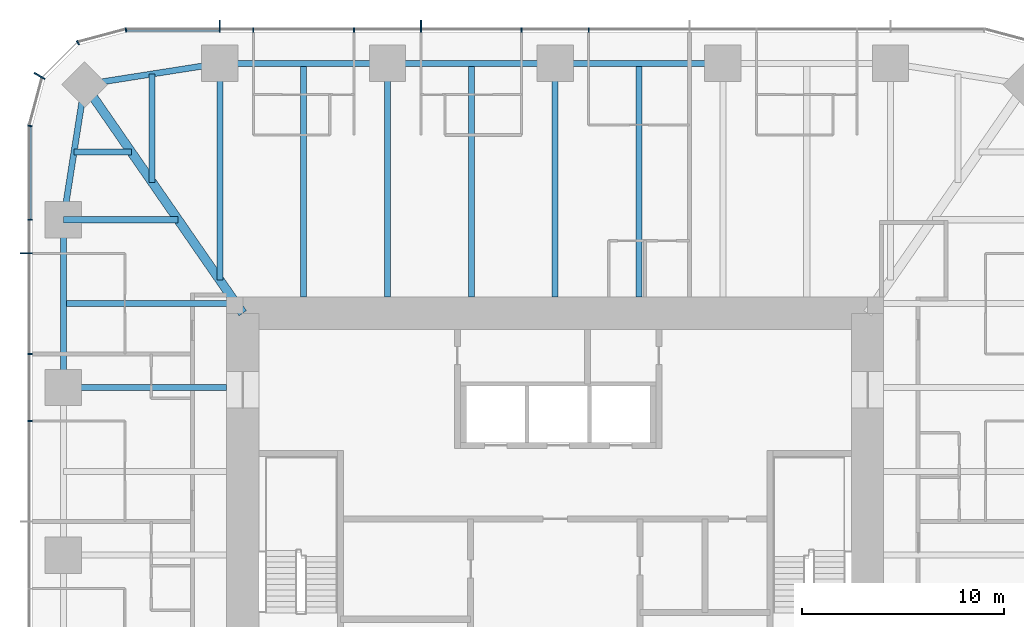
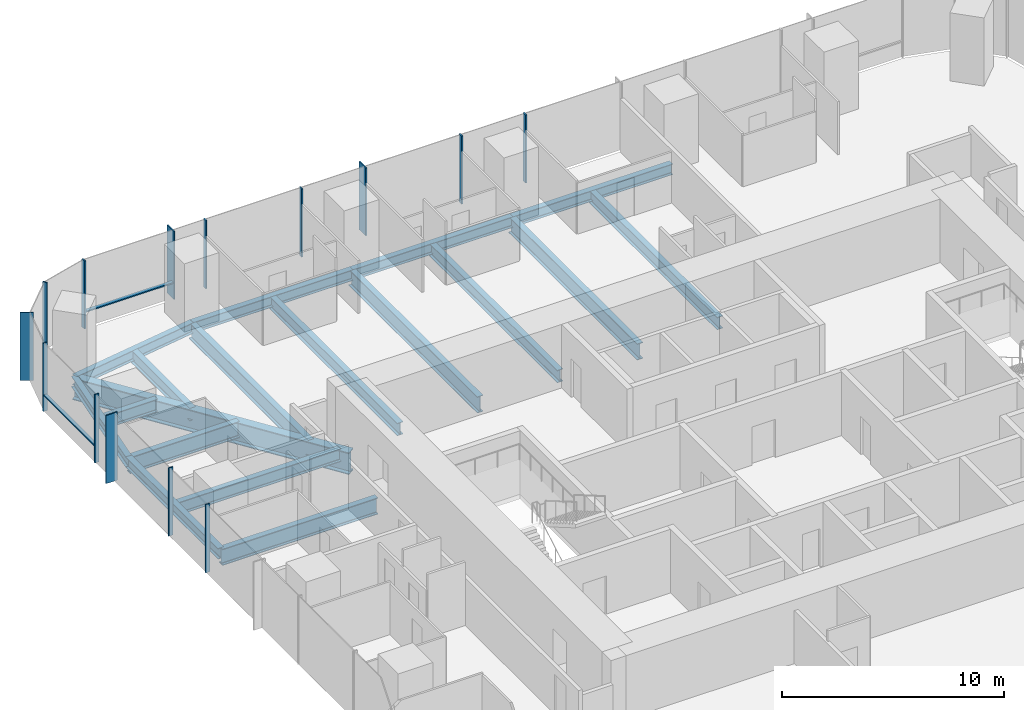
# One storey, part 5 of 12: 18 beams, 16 members, 3 elements without a shape of their own.
"""IFC4 building model written with IfcOpenShell, lengths in metres."""

from ifc_helpers import new_model, si_unit, direction, frame, origin, origin_2d, place, context, subcontext, project, spatial, rectangle, i_section, extrude, material, material_profile, profile_set, type_object, element, aggregate, save


model = new_model("IFC4")

# Units and contexts
model_context = context("Model", 3, precision=1e-05, world=origin(), true_north=direction((0.0, 1.0)))
body_context = subcontext(model_context, "Body", "Model", "MODEL_VIEW")
ifc_project = project(units=[si_unit("LENGTHUNIT", "METRE"), si_unit("AREAUNIT", "SQUARE_METRE"), si_unit("VOLUMEUNIT", "CUBIC_METRE"), si_unit("PLANEANGLEUNIT", "RADIAN"), si_unit("MASSUNIT", "GRAM", prefix="KILO")], contexts=[model_context])

# Site, building, storey
site_placement = place(None, origin())
site = spatial("IfcSite", under=ifc_project, at=site_placement, CompositionType="ELEMENT")
building_placement = place(site_placement, origin())
building = spatial("IfcBuilding", under=site, at=building_placement, Name="Khuree Lantern Residences", CompositionType="ELEMENT")
storey_placement = place(building_placement, frame((0.0, 0.0, 240.75)))
storey = spatial("IfcBuildingStorey", under=building, at=storey_placement, Name="L60", CompositionType="ELEMENT", Elevation=240.75)

# Beams
ifc_material_1 = material(Name="Steel S355", Category="steel")
ifc_material_profile_1 = material_profile(ifc_material_1, i_section(OverallWidth=0.300048828125, OverallDepth=0.68994140625, WebThickness=0.014404296875, FlangeThickness=0.027099609375, FilletRadius=0.027099609375, at=origin_2d()), Name="HE 700 A")
ifc_profile_set_1 = profile_set([ifc_material_profile_1], Name="Steel S355")
beam_type_1 = type_object("IfcBeamType", Name="B-33 SECONDARY BEAM HE 700 A", PredefinedType="BEAM", material=ifc_profile_set_1)
for number, where, z_axis, x_axis, name in (
    (1, (-12.47998046875, 24.39990234375, -0.594970703125), (0.0, -1.0, 0.0), (1.0, 0.0, 0.0), "Secondary beam N1"),
    (2, (-4.159912109375, 24.39990234375, -0.594970703125), (0.0, -1.0, 0.0), (1.0, 0.0, 0.0), "Secondary beam N2"),
    (3, (4.159912109375, 24.39990234375, -0.594970703125), (0.0, -1.0, 0.0), (1.0, 0.0, 0.0), "Secondary beam N3"),
):
    element("IfcBeam", number, at=place(storey_placement, frame(where, z_axis=z_axis, x_axis=x_axis)), inside=storey, type_object=beam_type_1, Name=name, PredefinedType="BEAM", context=body_context, shape_type="SweptSolid", body=[
        extrude(i_section(OverallWidth=0.300048828125, OverallDepth=0.68994140625, WebThickness=0.014404296875, FlangeThickness=0.027099609375, FilletRadius=0.027099609375, at=origin_2d()), origin(), (0.0, 0.0, 1.0), 11.599853515625),
    ])
beam_1_placement = place(storey_placement, frame((-24.39990234375, 12.47998046875, -0.594970703125), z_axis=(1.0, 0.0, 0.0), x_axis=(0.0, 1.0, 0.0)))
element("IfcBeam", 4, at=beam_1_placement, inside=storey, type_object=beam_type_1, Name="Secondary beam W5", PredefinedType="BEAM", context=body_context, shape_type="SweptSolid", body=[
    extrude(i_section(OverallWidth=0.300048828125, OverallDepth=0.68994140625, WebThickness=0.014404296875, FlangeThickness=0.027099609375, FilletRadius=0.027099609375, at=origin_2d()), origin(), (0.0, 0.0, 1.0), 8.56787109375),
])
beam_2_placement = place(storey_placement, frame((-23.872802734375, 19.992919921875, -0.594970703125), z_axis=(1.0, 0.0, 0.0), x_axis=(0.0, 1.0, 0.0)))
element("IfcBeam", 5, at=beam_2_placement, inside=storey, type_object=beam_type_1, Name="Secondary beam W6", PredefinedType="BEAM", context=body_context, shape_type="SweptSolid", body=[
    extrude(i_section(OverallWidth=0.300048828125, OverallDepth=0.68994140625, WebThickness=0.014404296875, FlangeThickness=0.027099609375, FilletRadius=0.027099609375, at=origin_2d()), origin(), (0.0, 0.0, 1.0), 2.845703125),
])
beam_3_placement = place(storey_placement, frame((-19.992919921875, 23.872802734375, -0.594970703125), z_axis=(0.0, -1.0, 0.0), x_axis=(1.0, 0.0, 0.0)))
element("IfcBeam", 6, at=beam_3_placement, inside=storey, type_object=beam_type_1, Name="Secondary beam N6", PredefinedType="BEAM", context=body_context, shape_type="SweptSolid", body=[
    extrude(i_section(OverallWidth=0.300048828125, OverallDepth=0.68994140625, WebThickness=0.014404296875, FlangeThickness=0.027099609375, FilletRadius=0.027099609375, at=origin_2d()), origin(), (0.0, 0.0, 1.0), 5.375732421875),
])
ifc_material_profile_2 = material_profile(ifc_material_1, i_section(OverallWidth=0.300048828125, OverallDepth=0.590087890625, WebThickness=0.012939453125, FlangeThickness=0.02490234375, FilletRadius=0.027099609375, at=origin_2d()), Name="HE 600 A")
ifc_profile_set_2 = profile_set([ifc_material_profile_2], Name="Steel S355")
beam_type_2 = type_object("IfcBeamType", Name="E-33 SPANDREL BEAM HE 600 A", PredefinedType="SPANDREL", material=ifc_profile_set_2)
beam_4_placement = place(storey_placement, frame((-16.639892578125, 24.39990234375, -0.544921875), z_axis=(1.0, 0.0, 0.0), x_axis=(0.0, 1.0, 0.0)))
element("IfcBeam", 7, at=beam_4_placement, inside=storey, type_object=beam_type_2, Name="Spandrel beam N1", PredefinedType="SPANDREL", context=body_context, shape_type="SweptSolid", body=[
    extrude(i_section(OverallWidth=0.300048828125, OverallDepth=0.590087890625, WebThickness=0.012939453125, FlangeThickness=0.02490234375, FilletRadius=0.027099609375, at=origin_2d()), origin(), (0.0, 0.0, 1.0), 8.31982421875),
])
for number, where, z_axis, x_axis, name in (
    (8, (-8.320068359375, 24.39990234375, -0.544921875), (1.0, 0.0, 0.0), (0.0, 1.0, 0.0), "Spandrel beam N2"),
    (9, (0.0, 24.39990234375, -0.544921875), (1.0, 0.0, 0.0), (0.0, 1.0, 0.0), "Spandrel beam N3"),
):
    element("IfcBeam", number, at=place(storey_placement, frame(where, z_axis=z_axis, x_axis=x_axis)), inside=storey, type_object=beam_type_2, Name=name, PredefinedType="SPANDREL", context=body_context, shape_type="SweptSolid", body=[
        extrude(i_section(OverallWidth=0.300048828125, OverallDepth=0.590087890625, WebThickness=0.012939453125, FlangeThickness=0.02490234375, FilletRadius=0.027099609375, at=origin_2d()), origin(), (0.0, 0.0, 1.0), 8.320068359375),
    ])
beam_5_placement = place(storey_placement, frame((-24.39990234375, 8.320068359375, -0.544921875), z_axis=(0.0, 1.0, 0.0), x_axis=(-1.0, 0.0, 0.0)))
element("IfcBeam", 10, at=beam_5_placement, inside=storey, type_object=beam_type_2, Name="Spandrel beam W5", PredefinedType="SPANDREL", context=body_context, shape_type="SweptSolid", body=[
    extrude(i_section(OverallWidth=0.300048828125, OverallDepth=0.590087890625, WebThickness=0.012939453125, FlangeThickness=0.02490234375, FilletRadius=0.027099609375, at=origin_2d()), origin(), (0.0, 0.0, 1.0), 8.31982421875),
])
for number, where, z_axis, x_axis, name in (
    (11, (-24.39990234375, 16.639892578125, -0.544921875), (0.155299507442, 0.98786743189, 0.0), (-0.98786743189, 0.155299507442, 0.0), "Spandrel beam W6"),
    (12, (-23.345703125, 23.345703125, -0.544921875), (0.98786743189, 0.155299507442, 0.0), (-0.155299507442, 0.98786743189, 0.0), "Spandrel beam N6"),
):
    element("IfcBeam", number, at=place(storey_placement, frame(where, z_axis=z_axis, x_axis=x_axis)), inside=storey, type_object=beam_type_2, Name=name, PredefinedType="SPANDREL", context=body_context, shape_type="SweptSolid", body=[
        extrude(i_section(OverallWidth=0.300048828125, OverallDepth=0.590087890625, WebThickness=0.012939453125, FlangeThickness=0.02490234375, FilletRadius=0.027099609375, at=origin_2d()), origin(), (0.0, 0.0, 1.0), 6.7880859375),
    ])

# Curtain wall, members
ifc_material_2 = material(Name="Bronze anodised aluminium", Category="aluminium")
curtain_wall_type_1 = type_object("IfcCurtainWallType", Name="CW-T1 TOWER FACE CURTAIN WALL", PredefinedType="USERDEFINED", material=ifc_material_2)
curtain_wall_1_placement = place(storey_placement, origin())
curtain_wall_1 = element("IfcCurtainWall", 13, at=curtain_wall_1_placement, inside=storey, type_object=curtain_wall_type_1, Name="L60 NORTH FACE CURTAIN WALL", ObjectType="Stick-built curtain wall", PredefinedType="USERDEFINED")
ifc_material_profile_3 = material_profile(ifc_material_2, rectangle(XDim=0.06494140625, YDim=0.60009765625, at=origin_2d()), Name="F1 65X600")
ifc_profile_set_3 = profile_set([ifc_material_profile_3], Name="Bronze anodised aluminium")
member_type_1 = type_object("IfcMemberType", Name="F1 BRONZE FIN MULLION TOWER 65X600", PredefinedType="MULLION", material=ifc_profile_set_3)
member_1_placement = place(storey_placement, frame((-6.656005859375, 26.25, 0.0), z_axis=(0.0, 0.0, 1.0), x_axis=(-1.0, 0.0, 0.0)))
member_1 = element("IfcMember", 14, at=member_1_placement, type_object=member_type_1, Name="L60 NORTH FACE FIN MULLION 25", PredefinedType="MULLION", context=body_context, shape_type="SweptSolid", body=[
    extrude(rectangle(XDim=0.06494140625, YDim=0.60009765625, at=origin_2d()), origin(), (0.0, 0.0, 1.0), 3.75),
])
member_2_placement = place(storey_placement, frame((-16.639892578125, 26.25, 0.0), z_axis=(0.0, 0.0, 1.0), x_axis=(-1.0, 0.0, 0.0)))
member_2 = element("IfcMember", 15, at=member_2_placement, type_object=member_type_1, Name="L60 NORTH FACE FIN MULLION 28", PredefinedType="MULLION", context=body_context, shape_type="SweptSolid", body=[
    extrude(rectangle(XDim=0.06494140625, YDim=0.60009765625, at=origin_2d()), origin(), (0.0, 0.0, 1.0), 3.75),
])

# Curtain wall, member
curtain_wall_type_2 = type_object("IfcCurtainWallType", Name="CW-T2 TOWER CORNER CURTAIN WALL", PredefinedType="USERDEFINED", material=ifc_material_2)
curtain_wall_2_placement = place(storey_placement, origin())
curtain_wall_2 = element("IfcCurtainWall", 16, at=curtain_wall_2_placement, inside=storey, type_object=curtain_wall_type_2, Name="L60 NORTH-WEST CORNER CURTAIN WALL", ObjectType="Faceted corner curtain wall", PredefinedType="USERDEFINED")
member_3_placement = place(storey_placement, frame((-25.5869140625, 23.77490234375, 0.0), z_axis=(0.0, 0.0, 1.0), x_axis=(-0.499999989586, -0.866025409797, 0.0)))
member_3 = element("IfcMember", 17, at=member_3_placement, type_object=member_type_1, Name="L60 NORTH-WEST CORNER FIN MULLION 31", PredefinedType="MULLION", context=body_context, shape_type="SweptSolid", body=[
    extrude(rectangle(XDim=0.06494140625, YDim=0.60009765625, at=origin_2d()), origin(), (0.0, 0.0, 1.0), 3.75),
])

curtain_wall_3_placement = place(storey_placement, origin())
curtain_wall_3 = element("IfcCurtainWall", 18, at=curtain_wall_3_placement, inside=storey, type_object=curtain_wall_type_1, Name="L60 WEST FACE CURTAIN WALL", ObjectType="Stick-built curtain wall", PredefinedType="USERDEFINED")
member_4_placement = place(storey_placement, frame((-26.25, 14.97607421875, 0.0), z_axis=(0.0, 0.0, 1.0), x_axis=(0.0, -1.0, 0.0)))
member_4 = element("IfcMember", 19, at=member_4_placement, type_object=member_type_1, Name="L60 WEST FACE FIN MULLION 34", PredefinedType="MULLION", context=body_context, shape_type="SweptSolid", body=[
    extrude(rectangle(XDim=0.06494140625, YDim=0.60009765625, at=origin_2d()), origin(), (0.0, 0.0, 1.0), 3.75),
])

# Beams
ifc_material_profile_4 = material_profile(ifc_material_1, i_section(OverallWidth=0.300048828125, OverallDepth=0.89990234375, WebThickness=0.0185546875, FlangeThickness=0.034912109375, FilletRadius=0.030029296875, at=origin_2d()), Name="HE 900 B")
ifc_profile_set_4 = profile_set([ifc_material_profile_4], Name="Steel S355")
beam_type_3 = type_object("IfcBeamType", Name="G-33 GIRDER HE 900 B", PredefinedType="BEAM", material=ifc_profile_set_4)
beam_6_placement = place(storey_placement, frame((-16.639892578125, 24.39990234375, -0.699951171875), z_axis=(0.0, -1.0, 0.0), x_axis=(1.0, 0.0, 0.0)))
element("IfcBeam", 20, at=beam_6_placement, inside=storey, type_object=beam_type_3, Name="Girder N1", PredefinedType="BEAM", context=body_context, shape_type="SweptSolid", body=[
    extrude(i_section(OverallWidth=0.300048828125, OverallDepth=0.89990234375, WebThickness=0.0185546875, FlangeThickness=0.034912109375, FilletRadius=0.030029296875, at=origin_2d()), origin(), (0.0, 0.0, 1.0), 10.751220703125),
])
for number, where, z_axis, x_axis, name in (
    (21, (-8.320068359375, 24.39990234375, -0.699951171875), (0.0, -1.0, 0.0), (1.0, 0.0, 0.0), "Girder N2"),
    (22, (0.0, 24.39990234375, -0.699951171875), (0.0, -1.0, 0.0), (1.0, 0.0, 0.0), "Girder N3"),
):
    element("IfcBeam", number, at=place(storey_placement, frame(where, z_axis=z_axis, x_axis=x_axis)), inside=storey, type_object=beam_type_3, Name=name, PredefinedType="BEAM", context=body_context, shape_type="SweptSolid", body=[
        extrude(i_section(OverallWidth=0.300048828125, OverallDepth=0.89990234375, WebThickness=0.0185546875, FlangeThickness=0.034912109375, FilletRadius=0.030029296875, at=origin_2d()), origin(), (0.0, 0.0, 1.0), 11.599853515625),
    ])
beam_7_placement = place(storey_placement, frame((-24.39990234375, 8.320068359375, -0.699951171875), z_axis=(1.0, 0.0, 0.0), x_axis=(0.0, 1.0, 0.0)))
element("IfcBeam", 23, at=beam_7_placement, inside=storey, type_object=beam_type_3, Name="Girder W4", PredefinedType="BEAM", context=body_context, shape_type="SweptSolid", body=[
    extrude(i_section(OverallWidth=0.300048828125, OverallDepth=0.89990234375, WebThickness=0.0185546875, FlangeThickness=0.034912109375, FilletRadius=0.030029296875, at=origin_2d()), origin(), (0.0, 0.0, 1.0), 8.099853515625),
])
beam_8_placement = place(storey_placement, frame((-24.39990234375, 16.639892578125, -0.699951171875), z_axis=(1.0, 0.0, 0.0), x_axis=(0.0, 1.0, 0.0)))
element("IfcBeam", 24, at=beam_8_placement, inside=storey, type_object=beam_type_3, Name="Girder W5", PredefinedType="BEAM", context=body_context, shape_type="SweptSolid", body=[
    extrude(i_section(OverallWidth=0.300048828125, OverallDepth=0.89990234375, WebThickness=0.0185546875, FlangeThickness=0.034912109375, FilletRadius=0.030029296875, at=origin_2d()), origin(), (0.0, 0.0, 1.0), 5.69140625),
])
ifc_material_profile_5 = material_profile(ifc_material_1, i_section(OverallWidth=0.449951171875, OverallDepth=1.199951171875, WebThickness=0.02490234375, FlangeThickness=0.044921875, at=origin_2d()), Name="WELDED I 1200X450X25X45")
ifc_profile_set_5 = profile_set([ifc_material_profile_5], Name="Steel S355")
beam_type_4 = type_object("IfcBeamType", Name="GD-33 CORNER GIRDER WELDED I 1200X450X25X45", PredefinedType="BEAM", material=ifc_profile_set_5)
beam_9_placement = place(storey_placement, frame((-23.345703125, 23.345703125, -0.85009765625), z_axis=(0.56876813501, -0.822497907959, 0.0), x_axis=(0.822497907959, 0.56876813501, 0.0)))
element("IfcBeam", 25, at=beam_9_placement, inside=storey, type_object=beam_type_4, Name="Corner girder NW", PredefinedType="BEAM", context=body_context, shape_type="SweptSolid", body=[
    extrude(i_section(OverallWidth=0.449951171875, OverallDepth=1.199951171875, WebThickness=0.02490234375, FlangeThickness=0.044921875, at=origin_2d()), origin(), (0.0, 0.0, 1.0), 13.794189453125),
])

# Member
ifc_material_profile_6 = material_profile(ifc_material_2, rectangle(XDim=0.06494140625, YDim=0.219970703125, at=origin_2d()), Name="M1 65X220")
ifc_profile_set_6 = profile_set([ifc_material_profile_6], Name="Bronze anodised aluminium")
member_type_2 = type_object("IfcMemberType", Name="M1 BRONZE MULLION TOWER 65X220", PredefinedType="MULLION", material=ifc_profile_set_6)
member_5_placement = place(storey_placement, frame((1.6640625, 26.06005859375, 0.0), z_axis=(0.0, 0.0, 1.0), x_axis=(-1.0, 0.0, 0.0)))
member_5 = element("IfcMember", 26, at=member_5_placement, type_object=member_type_2, Name="L60 NORTH FACE MULLION 23", PredefinedType="MULLION", context=body_context, shape_type="SweptSolid", body=[
    extrude(rectangle(XDim=0.06494140625, YDim=0.219970703125, at=origin_2d()), origin(), (0.0, 0.0, 1.0), 3.75),
])

member_6_placement = place(storey_placement, frame((-1.6640625, 26.06005859375, 0.0), z_axis=(0.0, 0.0, 1.0), x_axis=(-1.0, 0.0, 0.0)))
member_6 = element("IfcMember", 27, at=member_6_placement, type_object=member_type_2, Name="L60 NORTH FACE MULLION 24", PredefinedType="MULLION", context=body_context, shape_type="SweptSolid", body=[
    extrude(rectangle(XDim=0.06494140625, YDim=0.219970703125, at=origin_2d()), origin(), (0.0, 0.0, 1.0), 3.75),
])

member_7_placement = place(storey_placement, frame((-9.98388671875, 26.06005859375, 0.0), z_axis=(0.0, 0.0, 1.0), x_axis=(-1.0, 0.0, 0.0)))
member_7 = element("IfcMember", 28, at=member_7_placement, type_object=member_type_2, Name="L60 NORTH FACE MULLION 26", PredefinedType="MULLION", context=body_context, shape_type="SweptSolid", body=[
    extrude(rectangle(XDim=0.06494140625, YDim=0.219970703125, at=origin_2d()), origin(), (0.0, 0.0, 1.0), 3.75),
])

member_8_placement = place(storey_placement, frame((-14.97607421875, 26.06005859375, 0.0), z_axis=(0.0, 0.0, 1.0), x_axis=(-1.0, 0.0, 0.0)))
member_8 = element("IfcMember", 29, at=member_8_placement, type_object=member_type_2, Name="L60 NORTH FACE MULLION 27", PredefinedType="MULLION", context=body_context, shape_type="SweptSolid", body=[
    extrude(rectangle(XDim=0.06494140625, YDim=0.219970703125, at=origin_2d()), origin(), (0.0, 0.0, 1.0), 3.75),
])

member_9_placement = place(storey_placement, frame((-21.294921875, 26.061767578125, 0.0), z_axis=(0.0, 0.0, 1.0), x_axis=(-0.991444862943, -0.130526180298, 0.0)))
member_9 = element("IfcMember", 30, at=member_9_placement, type_object=member_type_2, Name="L60 NORTH-WEST CORNER MULLION 29", PredefinedType="MULLION", context=body_context, shape_type="SweptSolid", body=[
    extrude(rectangle(XDim=0.06494140625, YDim=0.219970703125, at=origin_2d()), origin(), (0.0, 0.0, 1.0), 3.75),
])

member_10_placement = place(storey_placement, frame((-23.679931640625, 25.42236328125, 0.0), z_axis=(0.0, 0.0, 1.0), x_axis=(-0.866025409797, -0.499999989586, 0.0)))
member_10 = element("IfcMember", 31, at=member_10_placement, type_object=member_type_2, Name="L60 NORTH-WEST CORNER MULLION 30", PredefinedType="MULLION", context=body_context, shape_type="SweptSolid", body=[
    extrude(rectangle(XDim=0.06494140625, YDim=0.219970703125, at=origin_2d()), origin(), (0.0, 0.0, 1.0), 3.75),
])

aggregate(curtain_wall_2, [member_9, member_10, member_3])

member_11_placement = place(storey_placement, frame((-26.061767578125, 21.294921875, 0.0), z_axis=(0.0, 0.0, 1.0), x_axis=(-0.130526180298, -0.991444862943, 0.0)))
member_11 = element("IfcMember", 32, at=member_11_placement, type_object=member_type_2, Name="L60 WEST FACE MULLION 32", PredefinedType="MULLION", context=body_context, shape_type="SweptSolid", body=[
    extrude(rectangle(XDim=0.06494140625, YDim=0.219970703125, at=origin_2d()), origin(), (0.0, 0.0, 1.0), 3.75),
])

member_12_placement = place(storey_placement, frame((-26.06005859375, 16.639892578125, 0.0), z_axis=(0.0, 0.0, 1.0), x_axis=(0.0, -1.0, 0.0)))
member_12 = element("IfcMember", 33, at=member_12_placement, type_object=member_type_2, Name="L60 WEST FACE MULLION 33", PredefinedType="MULLION", context=body_context, shape_type="SweptSolid", body=[
    extrude(rectangle(XDim=0.06494140625, YDim=0.219970703125, at=origin_2d()), origin(), (0.0, 0.0, 1.0), 3.75),
])

member_13_placement = place(storey_placement, frame((-26.06005859375, 9.98388671875, 0.0), z_axis=(0.0, 0.0, 1.0), x_axis=(0.0, -1.0, 0.0)))
member_13 = element("IfcMember", 34, at=member_13_placement, type_object=member_type_2, Name="L60 WEST FACE MULLION 35", PredefinedType="MULLION", context=body_context, shape_type="SweptSolid", body=[
    extrude(rectangle(XDim=0.06494140625, YDim=0.219970703125, at=origin_2d()), origin(), (0.0, 0.0, 1.0), 3.75),
])

member_14_placement = place(storey_placement, frame((-26.06005859375, 6.656005859375, 0.0), z_axis=(0.0, 0.0, 1.0), x_axis=(0.0, -1.0, 0.0)))
member_14 = element("IfcMember", 35, at=member_14_placement, type_object=member_type_2, Name="L60 WEST FACE MULLION 36", PredefinedType="MULLION", context=body_context, shape_type="SweptSolid", body=[
    extrude(rectangle(XDim=0.06494140625, YDim=0.219970703125, at=origin_2d()), origin(), (0.0, 0.0, 1.0), 3.75),
])

ifc_material_profile_7 = material_profile(ifc_material_2, rectangle(XDim=0.179931640625, YDim=0.06494140625, at=origin_2d()), Name="T1 180X65")
ifc_profile_set_7 = profile_set([ifc_material_profile_7], Name="Bronze anodised aluminium")
member_type_3 = type_object("IfcMemberType", Name="TRANSOM T1 TOWER 180X65", PredefinedType="USERDEFINED", material=ifc_profile_set_7)
member_15_placement = place(storey_placement, frame((-16.672607421875, 26.070068359375, 0.89990234375), z_axis=(-1.0, 0.0, 0.0), x_axis=(0.0, -1.0, 0.0)))
member_15 = element("IfcMember", 36, at=member_15_placement, type_object=member_type_3, Name="L60 NORTH FACE TRANSOM 28.1", ObjectType="Transom", PredefinedType="USERDEFINED", context=body_context, shape_type="SweptSolid", body=[
    extrude(rectangle(XDim=0.179931640625, YDim=0.06494140625, at=origin_2d()), origin(), (0.0, 0.0, 1.0), 4.578857421875),
])

aggregate(curtain_wall_1, [member_5, member_6, member_1, member_7, member_8, member_2, member_15])

member_16_placement = place(storey_placement, frame((-26.070068359375, 21.25146484375, 0.89990234375), z_axis=(0.0, -1.0, 0.0), x_axis=(1.0, 0.0, 0.0)))
member_16 = element("IfcMember", 37, at=member_16_placement, type_object=member_type_3, Name="L60 WEST FACE TRANSOM 32.1", ObjectType="Transom", PredefinedType="USERDEFINED", context=body_context, shape_type="SweptSolid", body=[
    extrude(rectangle(XDim=0.179931640625, YDim=0.06494140625, at=origin_2d()), origin(), (0.0, 0.0, 1.0), 4.578857421875),
])

aggregate(curtain_wall_3, [member_11, member_12, member_4, member_13, member_14, member_16])

save(model, "model.ifc")
